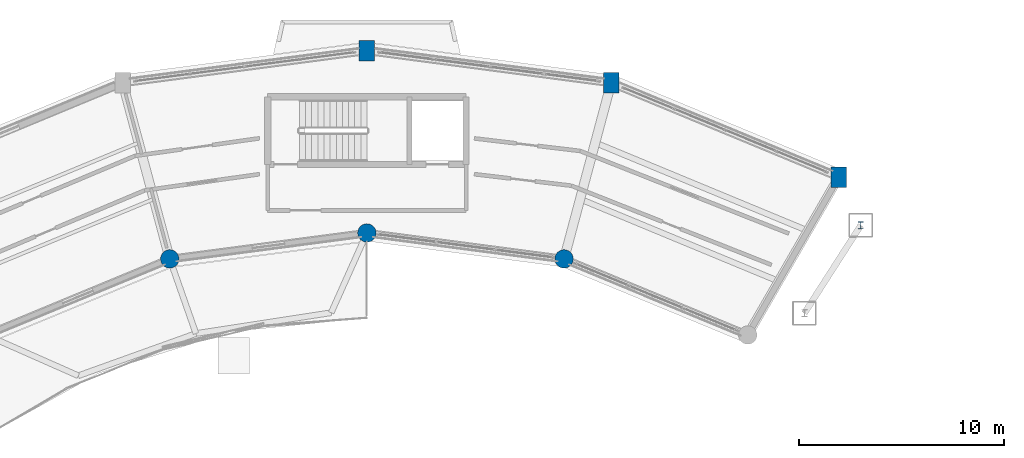
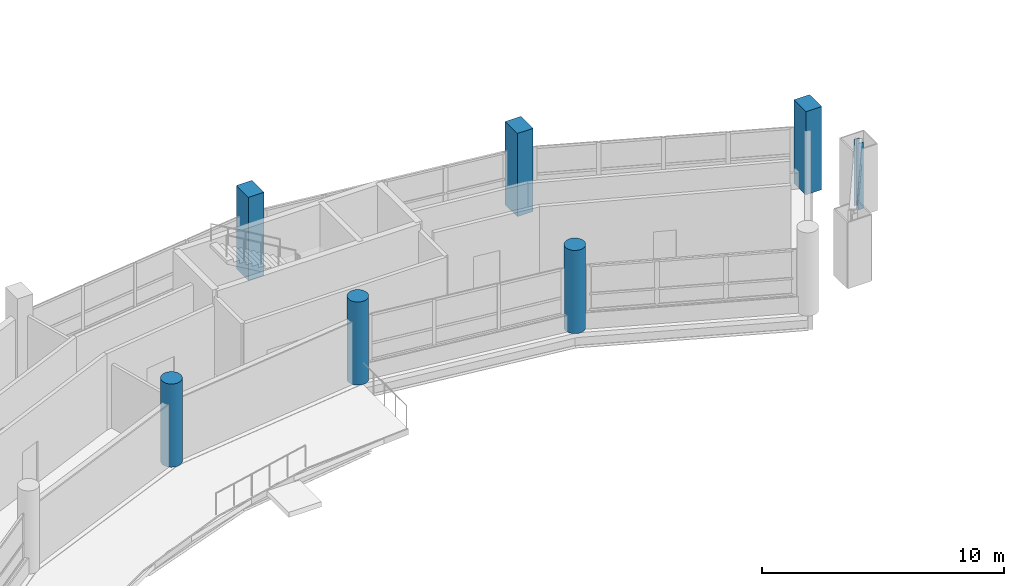
# One storey, part 10 of 128: 7 columns.
"""IFC4 building model written with IfcOpenShell, lengths in metres."""

from ifc_helpers import new_model, si_unit, direction, frame, origin, origin_2d, place, context, subcontext, project, spatial, rectangle, circle, i_section, extrude, material, material_profile, profile_set, type_object, element, save


model = new_model("IFC4")

# Units and contexts
model_context = context("Model", 3, precision=1e-05, world=origin(), true_north=direction((0.0, 1.0)))
body_context = subcontext(model_context, "Body", "Model", "MODEL_VIEW")
ifc_project = project(units=[si_unit("LENGTHUNIT", "METRE"), si_unit("AREAUNIT", "SQUARE_METRE"), si_unit("VOLUMEUNIT", "CUBIC_METRE"), si_unit("PLANEANGLEUNIT", "RADIAN"), si_unit("MASSUNIT", "GRAM", prefix="KILO")], contexts=[model_context])

# Site, building, storey
site_placement = place(None, origin())
site = spatial("IfcSite", under=ifc_project, at=site_placement, CompositionType="ELEMENT")
building_placement = place(site_placement, origin())
building = spatial("IfcBuilding", under=site, at=building_placement, Name="Vespera Passage Community Centre", CompositionType="ELEMENT")
storey_placement = place(building_placement, frame((0.0, 0.0, 4.5)))
storey = spatial("IfcBuildingStorey", under=building, at=storey_placement, Name="L01", CompositionType="ELEMENT", Elevation=4.5)

# Columns
ifc_material_1 = material(Name="Concrete f'c 45 MPa", Category="concrete")
ifc_material_profile_1 = material_profile(ifc_material_1, rectangle(XDim=0.75, YDim=1.0, at=origin_2d()), Name="RC1000X750")
ifc_profile_set_1 = profile_set([ifc_material_profile_1], Name="Concrete f'c 45 MPa")
column_type_1 = type_object("IfcColumnType", Name="COL-RC1000X750E", PredefinedType="COLUMN", material=ifc_profile_set_1)
for number, where, z_axis, x_axis, name in (
    (1, (101.050048828125, 105.423828125, 0.0), (0.0, 0.0, 1.0), (1.0, 0.0, 0.0), "L01 Column V4-O04"),
    (2, (89.931640625, 110.029296875, 0.0), (0.0, 0.0, 1.0), (1.0, 0.0, 0.0), "L01 Column V4-O05"),
    (3, (78.0, 111.60009765625, 0.0), (0.0, 0.0, 1.0), (1.0, 0.0, 0.0), "L01 Column V4-O06"),
):
    element("IfcColumn", number, at=place(storey_placement, frame(where, z_axis=z_axis, x_axis=x_axis)), inside=storey, type_object=column_type_1, Name=name, PredefinedType="COLUMN", context=body_context, shape_type="SweptSolid", body=[
        extrude(rectangle(XDim=0.75, YDim=1.0, at=origin_2d()), origin(), (0.0, 0.0, 1.0), 4.199951171875),
    ])
ifc_material_2 = material(Name="Concrete f'c 45 MPa", Category="concrete")
ifc_material_profile_2 = material_profile(ifc_material_2, circle(Radius=0.449951171875, at=origin_2d()), Name="RC900DIA")
ifc_profile_set_2 = profile_set([ifc_material_profile_2], Name="Concrete f'c 45 MPa")
column_type_2 = type_object("IfcColumnType", Name="COL-RC900DIAE", PredefinedType="COLUMN", material=ifc_profile_set_2)
for number, where, z_axis, x_axis, name in (
    (4, (87.628173828125, 101.432373046875, 0.0), (0.0, 0.0, 1.0), (1.0, 0.0, 0.0), "L01 Column V4-I05"),
    (5, (78.0, 102.699951171875, 0.0), (0.0, 0.0, 1.0), (1.0, 0.0, 0.0), "L01 Column V4-I06"),
    (6, (68.371826171875, 101.432373046875, 0.0), (0.0, 0.0, 1.0), (1.0, 0.0, 0.0), "L01 Column V4-I07"),
):
    element("IfcColumn", number, at=place(storey_placement, frame(where, z_axis=z_axis, x_axis=x_axis)), inside=storey, type_object=column_type_2, Name=name, PredefinedType="COLUMN", context=body_context, shape_type="SweptSolid", body=[
        extrude(circle(Radius=0.449951171875, at=origin_2d()), origin(), (0.0, 0.0, 1.0), 4.199951171875),
    ])
ifc_material_3 = material(Name="Steel ASTM A992 Grade 50", Category="steel")
ifc_material_profile_3 = material_profile(ifc_material_3, i_section(OverallWidth=0.2548828125, OverallDepth=0.356689453125, WebThickness=0.010498046875, FlangeThickness=0.018310546875, FilletRadius=0.01513671875, at=origin_2d()), Name="W14X68")
ifc_profile_set_3 = profile_set([ifc_material_profile_3], Name="Steel ASTM A992 Grade 50")
column_type_3 = type_object("IfcColumnType", Name="COL-W14X68I", PredefinedType="COLUMN", material=ifc_profile_set_3)
column_placement = place(storey_placement, frame((102.12158203125, 103.073486328125, 0.0), z_axis=(0.0, 0.0, 1.0), x_axis=(1.0, 0.0, 0.0)))
element("IfcColumn", 7, at=column_placement, inside=storey, type_object=column_type_3, Name="L01 Column TRANC-O038", PredefinedType="COLUMN", context=body_context, shape_type="SweptSolid", body=[
    extrude(i_section(OverallWidth=0.2548828125, OverallDepth=0.356689453125, WebThickness=0.010498046875, FlangeThickness=0.018310546875, FilletRadius=0.01513671875, at=origin_2d()), origin(), (0.0, 0.0, 1.0), 3.35009765625),
])

save(model, "model.ifc")
